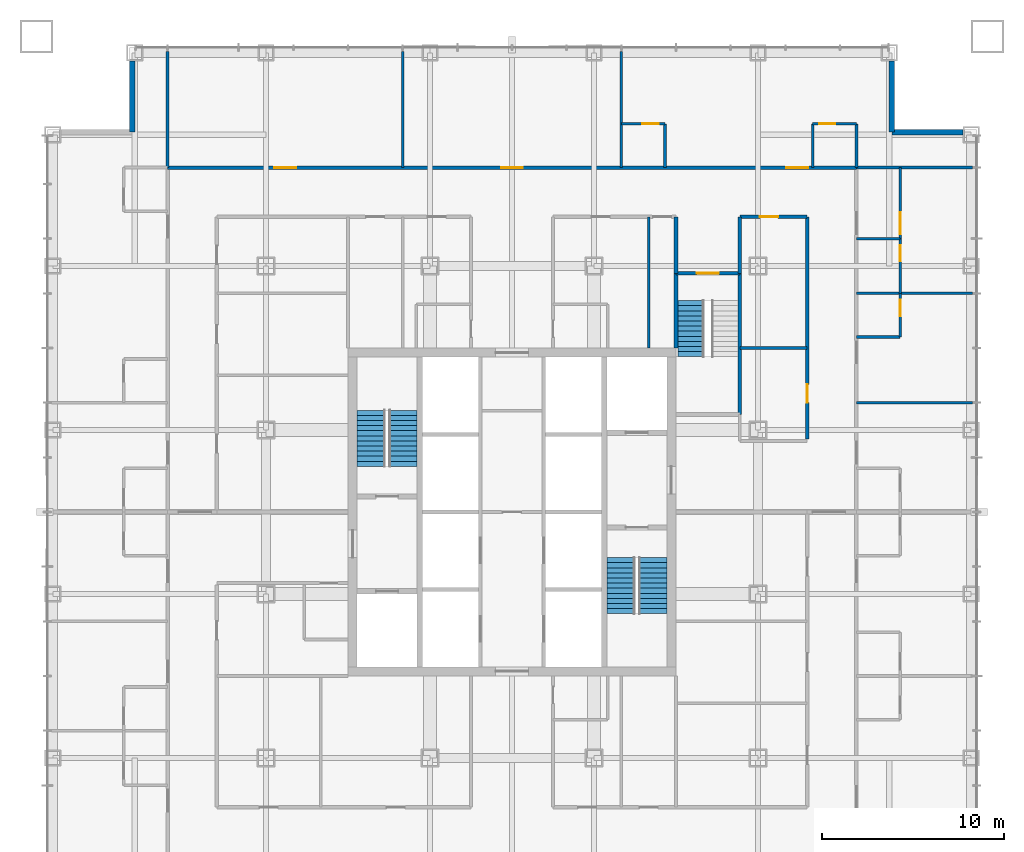
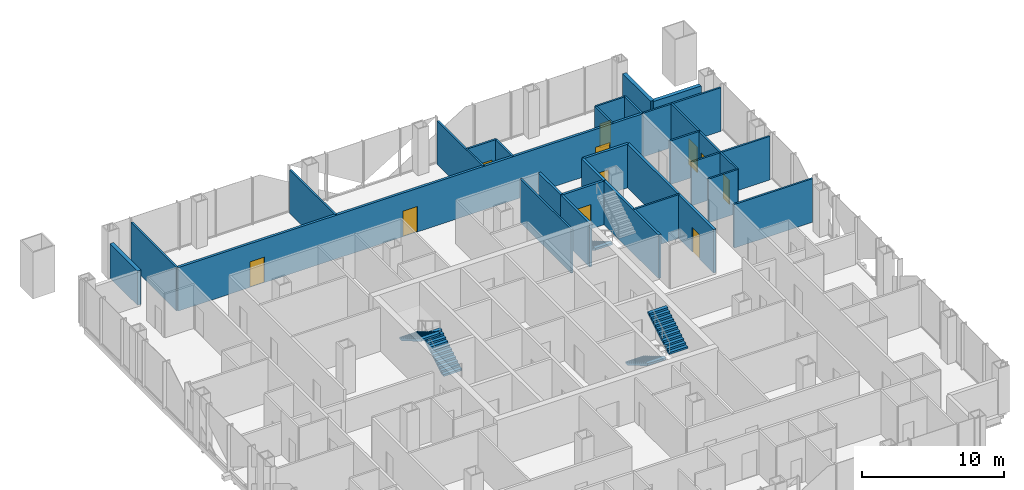
# One storey, part 11 of 13: 29 walls, 11 doors, 5 stair flights, 11 openings, 3 elements without a shape of their own.
"""IFC4 building model written with IfcOpenShell, lengths in metres."""

from ifc_helpers import new_model, si_unit, direction, frame, frame_2d, origin, place, context, subcontext, project, spatial, polyline, rectangle, outline, extrude, material, layer, layer_set, type_object, element, fill, aggregate, save


model = new_model("IFC4")

# Units and contexts
model_context = context("Model", 3, precision=1e-05, world=origin(), true_north=direction((0.0, 1.0)))
body_context = subcontext(model_context, "Body", "Model", "MODEL_VIEW")
ifc_project = project(units=[si_unit("LENGTHUNIT", "METRE"), si_unit("AREAUNIT", "SQUARE_METRE"), si_unit("VOLUMEUNIT", "CUBIC_METRE"), si_unit("PLANEANGLEUNIT", "RADIAN"), si_unit("MASSUNIT", "GRAM", prefix="KILO")], contexts=[model_context])

# Site, building, storey
site_placement = place(None, origin())
site = spatial("IfcSite", under=ifc_project, at=site_placement, CompositionType="ELEMENT")
building_placement = place(site_placement, origin())
building = spatial("IfcBuilding", under=site, at=building_placement, Name="Malebo Sky Hospital", CompositionType="ELEMENT")
storey_placement = place(building_placement, frame((0.0, 0.0, 79.0)))
storey = spatial("IfcBuildingStorey", under=building, at=storey_placement, Name="L18", CompositionType="ELEMENT", Elevation=79.0)

# Wall, openings, doors
ifc_material_1 = material(Name="Gypsum board on steel studs", Category="steel")
ifc_layer_1 = layer(ifc_material_1, 0.199951171875)
ifc_layer_set_1 = layer_set([ifc_layer_1], Name="CORRIDOR WALL 200")
wall_type_1 = type_object("IfcWallType", Name="CORRIDOR WALL 200", PredefinedType="PARTITIONING", material=ifc_layer_set_1)
wall_1_placement = place(storey_placement, frame((41.10009765625, 80.89990234375, 0.0), z_axis=(0.0, 0.0, 1.0), x_axis=(1.0, 0.0, 0.0)))
wall_1 = element("IfcWall", 1, at=wall_1_placement, inside=storey, type_object=wall_type_1, Name="Corridor Wall 200 NCO", PredefinedType="PARTITIONING", context=body_context, shape_type="SweptSolid", body=[
    extrude(rectangle(XDim=37.7998046875, YDim=0.199951171875, at=frame_2d((18.89990234375, 0.0))), origin(), (0.0, 0.0, 1.0), 3.75),
])
opening_1_placement = place(wall_1_placement, frame((5.85009765625, 0.0, 0.0)))
opening_1 = element("IfcOpeningElement", 2, at=opening_1_placement, cuts=wall_1, Name="Opening D01", PredefinedType="OPENING", context=body_context, shape_type="SweptSolid", body=[
    extrude(rectangle(XDim=1.199951171875, YDim=2.199951171875, at=frame_2d((0.60009765625, 1.10009765625))), frame((0.0, 0.10986328125, 0.0), z_axis=(0.0, -1.0, 0.0), x_axis=(1.0, 0.0, 0.0)), (0.0, 0.0, 1.0), 0.219970703125),
])
opening_2_placement = place(wall_1_placement, frame((18.300048828125, 0.0, 0.0)))
opening_2 = element("IfcOpeningElement", 3, at=opening_2_placement, cuts=wall_1, Name="Opening D01", PredefinedType="OPENING", context=body_context, shape_type="SweptSolid", body=[
    extrude(rectangle(XDim=1.199951171875, YDim=2.199951171875, at=frame_2d((0.60009765625, 1.10009765625))), frame((0.0, 0.10986328125, 0.0), z_axis=(0.0, -1.0, 0.0), x_axis=(1.0, 0.0, 0.0)), (0.0, 0.0, 1.0), 0.219970703125),
])
opening_3_placement = place(wall_1_placement, frame((33.949951171875, 0.0, 0.0)))
opening_3 = element("IfcOpeningElement", 4, at=opening_3_placement, cuts=wall_1, Name="Opening D01", PredefinedType="OPENING", context=body_context, shape_type="SweptSolid", body=[
    extrude(rectangle(XDim=1.199951171875, YDim=2.199951171875, at=frame_2d((0.60009765625, 1.10009765625))), frame((0.0, 0.10986328125, 0.0), z_axis=(0.0, -1.0, 0.0), x_axis=(1.0, 0.0, 0.0)), (0.0, 0.0, 1.0), 0.219970703125),
])
ifc_material_2 = material(Name="Hardwood-faced door leaf in steel frame", Category="steel")
door_type_1 = type_object("IfcDoorType", Name="BED DOOR 1200", OperationType="SINGLE_SWING_LEFT", PredefinedType="DOOR", material=ifc_material_2)
door_1_placement = place(opening_1_placement, origin())
door_1 = element("IfcDoor", 5, at=door_1_placement, inside=storey, type_object=door_type_1, Name="Dining room door", OperationType="SINGLE_SWING_LEFT", OverallHeight=2.199951171875, OverallWidth=1.199951171875, PredefinedType="DOOR", context=body_context, shape_type="SweptSolid", body=[
    extrude(rectangle(XDim=1.199951171875, YDim=2.199951171875, at=frame_2d((0.60009765625, 1.10009765625))), frame((0.0, 0.02490234375, 0.0), z_axis=(0.0, -1.0, 0.0), x_axis=(1.0, 0.0, 0.0)), (0.0, 0.0, 1.0), 0.050048828125),
])
fill(opening_1, door_1)
door_2_placement = place(opening_2_placement, origin())
door_2 = element("IfcDoor", 6, at=door_2_placement, inside=storey, type_object=door_type_1, Name="Therapy gym door", OperationType="SINGLE_SWING_LEFT", OverallHeight=2.199951171875, OverallWidth=1.199951171875, PredefinedType="DOOR", context=body_context, shape_type="SweptSolid", body=[
    extrude(rectangle(XDim=1.199951171875, YDim=2.199951171875, at=frame_2d((0.60009765625, 1.10009765625))), frame((0.0, 0.02490234375, 0.0), z_axis=(0.0, -1.0, 0.0), x_axis=(1.0, 0.0, 0.0)), (0.0, 0.0, 1.0), 0.050048828125),
])
fill(opening_2, door_2)
door_3_placement = place(opening_3_placement, origin())
door_3 = element("IfcDoor", 7, at=door_3_placement, inside=storey, type_object=door_type_1, Name="Four-bed bay door", OperationType="SINGLE_SWING_RIGHT", OverallHeight=2.199951171875, OverallWidth=1.199951171875, PredefinedType="DOOR", context=body_context, shape_type="SweptSolid", body=[
    extrude(rectangle(XDim=1.199951171875, YDim=2.199951171875, at=frame_2d((0.60009765625, 1.10009765625))), frame((0.0, 0.02490234375, 0.0), z_axis=(0.0, -1.0, 0.0), x_axis=(1.0, 0.0, 0.0)), (0.0, 0.0, 1.0), 0.050048828125),
])
fill(opening_3, door_3)

# Wall, opening, door
wall_2_placement = place(storey_placement, frame((72.5, 78.199951171875, 0.0), z_axis=(0.0, 0.0, 1.0), x_axis=(1.0, 0.0, 0.0)))
wall_2 = element("IfcWall", 8, at=wall_2_placement, inside=storey, type_object=wall_type_1, Name="Corridor Wall 200 NCI2/2", PredefinedType="PARTITIONING", context=body_context, shape_type="SweptSolid", body=[
    extrude(rectangle(XDim=3.699951171875, YDim=0.199951171875, at=frame_2d((1.85009765625, 0.0))), origin(), (0.0, 0.0, 1.0), 3.75),
])
opening_4_placement = place(wall_2_placement, frame((1.10009765625, 0.0, 0.0)))
opening_4 = element("IfcOpeningElement", 9, at=opening_4_placement, cuts=wall_2, Name="Opening D03", PredefinedType="OPENING", context=body_context, shape_type="SweptSolid", body=[
    extrude(rectangle(XDim=1.0, YDim=2.10009765625, at=frame_2d((0.5, 1.050048828125))), frame((0.0, 0.10986328125, 0.0), z_axis=(0.0, -1.0, 0.0), x_axis=(1.0, 0.0, 0.0)), (0.0, 0.0, 1.0), 0.219970703125),
])
door_type_2 = type_object("IfcDoorType", Name="ROOM DOOR 1000", OperationType="SINGLE_SWING_LEFT", PredefinedType="DOOR", material=ifc_material_2)
door_4_placement = place(opening_4_placement, origin())
door_4 = element("IfcDoor", 10, at=door_4_placement, inside=storey, type_object=door_type_2, Name="Clean utility room door", OperationType="SINGLE_SWING_LEFT", OverallHeight=2.10009765625, OverallWidth=1.0, PredefinedType="DOOR", context=body_context, shape_type="SweptSolid", body=[
    extrude(rectangle(XDim=1.0, YDim=2.10009765625, at=frame_2d((0.5, 1.050048828125))), frame((0.0, 0.02490234375, 0.0), z_axis=(0.0, -1.0, 0.0), x_axis=(1.0, 0.0, 0.0)), (0.0, 0.0, 1.0), 0.050048828125),
])
fill(opening_4, door_4)

wall_3_placement = place(storey_placement, frame((76.199951171875, 78.199951171875, 0.0), z_axis=(0.0, 0.0, 1.0), x_axis=(0.0, -1.0, 0.0)))
wall_3 = element("IfcWall", 11, at=wall_3_placement, inside=storey, type_object=wall_type_1, Name="Corridor Wall 200 ECI1", PredefinedType="PARTITIONING", context=body_context, shape_type="SweptSolid", body=[
    extrude(rectangle(XDim=12.199951171875, YDim=0.199951171875, at=frame_2d((6.10009765625, 0.0))), origin(), (0.0, 0.0, 1.0), 3.75),
])
opening_5_placement = place(wall_3_placement, frame((9.199951171875, 0.0, 0.0)))
opening_5 = element("IfcOpeningElement", 12, at=opening_5_placement, cuts=wall_3, Name="Opening D03", PredefinedType="OPENING", context=body_context, shape_type="SweptSolid", body=[
    extrude(rectangle(XDim=1.0, YDim=2.10009765625, at=frame_2d((0.5, 1.050048828125))), frame((0.0, 0.10986328125, 0.0), z_axis=(0.0, -1.0, 0.0), x_axis=(1.0, 0.0, 0.0)), (0.0, 0.0, 1.0), 0.219970703125),
])
door_5_placement = place(opening_5_placement, origin())
door_5 = element("IfcDoor", 13, at=door_5_placement, inside=storey, type_object=door_type_2, Name="Interview room door", OperationType="SINGLE_SWING_LEFT", OverallHeight=2.10009765625, OverallWidth=1.0, PredefinedType="DOOR", context=body_context, shape_type="SweptSolid", body=[
    extrude(rectangle(XDim=1.0, YDim=2.10009765625, at=frame_2d((0.5, 1.050048828125))), frame((0.0, 0.02490234375, 0.0), z_axis=(0.0, -1.0, 0.0), x_axis=(1.0, 0.0, 0.0)), (0.0, 0.0, 1.0), 0.050048828125),
])
fill(opening_5, door_5)

# Walls
for number, where, z_axis, x_axis, name in (
    (14, (69.0, 75.10009765625, 0.0), (0.0, 0.0, 1.0), (0.0, 1.0, 0.0), "Corridor Wall 200 ST3AW"),
    (15, (72.5, 75.10009765625, 0.0), (0.0, 0.0, 1.0), (0.0, 1.0, 0.0), "Corridor Wall 200 ST3AE"),
):
    element("IfcWall", number, at=place(storey_placement, frame(where, z_axis=z_axis, x_axis=x_axis)), inside=storey, type_object=wall_type_1, Name=name, PredefinedType="PARTITIONING", context=body_context, shape_type="SweptSolid", body=[
        extrude(rectangle(XDim=3.099853515625, YDim=0.199951171875, at=frame_2d((1.5498046875, 0.0))), origin(), (0.0, 0.0, 1.0), 3.75),
    ])
ifc_material_3 = material(Name="Anodised aluminium rainscreen on steel framing", Category="steel")
ifc_layer_2 = layer(ifc_material_3, 0.300048828125)
ifc_layer_set_2 = layer_set([ifc_layer_2], Name="NOTCH RAINSCREEN WALL 300")
wall_type_2 = type_object("IfcWallType", Name="NOTCH RAINSCREEN WALL 300", PredefinedType="ELEMENTEDWALL", material=ifc_layer_set_2)
for number, where, z_axis, x_axis, name in (
    (16, (80.85009765625, 86.75, 0.0), (0.0, 0.0, 1.0), (0.0, -1.0, 0.0), "Notch rainscreen wall N1 L18"),
    (17, (80.85009765625, 82.85009765625, 0.0), (0.0, 0.0, 1.0), (1.0, 0.0, 0.0), "Notch rainscreen wall N2 L18"),
    (18, (39.14990234375, 82.85009765625, 0.0), (0.0, 0.0, 1.0), (0.0, 1.0, 0.0), "Notch rainscreen wall W2 L18"),
):
    element("IfcWall", number, at=place(storey_placement, frame(where, z_axis=z_axis, x_axis=x_axis)), inside=storey, type_object=wall_type_2, Name=name, PredefinedType="ELEMENTEDWALL", context=body_context, shape_type="SweptSolid", body=[
        extrude(rectangle(XDim=3.89990234375, YDim=0.300048828125, at=frame_2d((1.949951171875, 0.0))), origin(), (0.0, 0.0, 1.0), 2.949951171875),
    ])
ifc_layer_3 = layer(ifc_material_1, 0.14990234375)
ifc_layer_set_3 = layer_set([ifc_layer_3], Name="PARTITION 150")
wall_type_3 = type_object("IfcWallType", Name="PARTITION 150", PredefinedType="PARTITIONING", material=ifc_layer_set_3)
for number, where, z_axis, x_axis, name in (
    (19, (54.0, 80.89990234375, 0.0), (0.0, 0.0, 1.0), (0.0, 1.0, 0.0), "Partition 150 NP-6.0"),
    (20, (66.0, 80.89990234375, 0.0), (0.0, 0.0, 1.0), (0.0, 1.0, 0.0), "Partition 150 NP+6.0"),
    (21, (41.10009765625, 80.89990234375, 0.0), (0.0, 0.0, 1.0), (0.0, 1.0, 0.0), "Partition 150 NP0"),
):
    element("IfcWall", number, at=place(storey_placement, frame(where, z_axis=z_axis, x_axis=x_axis)), inside=storey, type_object=wall_type_3, Name=name, PredefinedType="PARTITIONING", context=body_context, shape_type="SweptSolid", body=[
        extrude(rectangle(XDim=6.375, YDim=0.14990234375, at=frame_2d((3.1875, 0.0))), origin(), (0.0, 0.0, 1.0), 3.75),
    ])

# Wall, opening, door
wall_4_placement = place(storey_placement, frame((76.5, 83.300048828125, 0.0), z_axis=(0.0, 0.0, 1.0), x_axis=(1.0, 0.0, 0.0)))
wall_4 = element("IfcWall", 22, at=wall_4_placement, inside=storey, type_object=wall_type_3, Name="Partition 150 NE2F", PredefinedType="PARTITIONING", context=body_context, shape_type="SweptSolid", body=[
    extrude(rectangle(XDim=2.39990234375, YDim=0.14990234375, at=frame_2d((1.199951171875, 0.0))), origin(), (0.0, 0.0, 1.0), 3.75),
])
opening_6_placement = place(wall_4_placement, frame((0.35009765625, 0.0, 0.0)))
opening_6 = element("IfcOpeningElement", 23, at=opening_6_placement, cuts=wall_4, Name="Opening D02", PredefinedType="OPENING", context=body_context, shape_type="SweptSolid", body=[
    extrude(rectangle(XDim=0.89990234375, YDim=2.10009765625, at=frame_2d((0.449951171875, 1.050048828125))), frame((0.0, 0.0849609375, 0.0), z_axis=(0.0, -1.0, 0.0), x_axis=(1.0, 0.0, 0.0)), (0.0, 0.0, 1.0), 0.169921875),
])
door_type_3 = type_object("IfcDoorType", Name="EN-SUITE DOOR 900", OperationType="SINGLE_SWING_LEFT", PredefinedType="DOOR", material=ifc_material_2)
door_6_placement = place(opening_6_placement, origin())
door_6 = element("IfcDoor", 24, at=door_6_placement, inside=storey, type_object=door_type_3, Name="En-suite door", OperationType="SINGLE_SWING_LEFT", OverallHeight=2.10009765625, OverallWidth=0.89990234375, PredefinedType="DOOR", context=body_context, shape_type="SweptSolid", body=[
    extrude(rectangle(XDim=0.89990234375, YDim=2.10009765625, at=frame_2d((0.449951171875, 1.050048828125))), frame((0.0, 0.02490234375, 0.0), z_axis=(0.0, -1.0, 0.0), x_axis=(1.0, 0.0, 0.0)), (0.0, 0.0, 1.0), 0.050048828125),
])
fill(opening_6, door_6)

# Wall
wall_5_placement = place(storey_placement, frame((76.5, 80.89990234375, 0.0), z_axis=(0.0, 0.0, 1.0), x_axis=(0.0, 1.0, 0.0)))
element("IfcWall", 25, at=wall_5_placement, inside=storey, type_object=wall_type_3, Name="Partition 150 NE2S", PredefinedType="PARTITIONING", context=body_context, shape_type="SweptSolid", body=[
    extrude(rectangle(XDim=2.400146484375, YDim=0.14990234375, at=frame_2d((1.2001953125, 0.0))), origin(), (0.0, 0.0, 1.0), 3.75),
])

# Wall, opening, door
wall_6_placement = place(storey_placement, frame((66.0, 83.300048828125, 0.0), z_axis=(0.0, 0.0, 1.0), x_axis=(1.0, 0.0, 0.0)))
wall_6 = element("IfcWall", 26, at=wall_6_placement, inside=storey, type_object=wall_type_3, Name="Partition 150 NG2F", PredefinedType="PARTITIONING", context=body_context, shape_type="SweptSolid", body=[
    extrude(rectangle(XDim=2.39990234375, YDim=0.14990234375, at=frame_2d((1.199951171875, 0.0))), origin(), (0.0, 0.0, 1.0), 3.75),
])
opening_7_placement = place(wall_6_placement, frame((1.14990234375, 0.0, 0.0)))
opening_7 = element("IfcOpeningElement", 27, at=opening_7_placement, cuts=wall_6, Name="Opening D02", PredefinedType="OPENING", context=body_context, shape_type="SweptSolid", body=[
    extrude(rectangle(XDim=0.89990234375, YDim=2.10009765625, at=frame_2d((0.449951171875, 1.050048828125))), frame((0.0, 0.0849609375, 0.0), z_axis=(0.0, -1.0, 0.0), x_axis=(1.0, 0.0, 0.0)), (0.0, 0.0, 1.0), 0.169921875),
])
door_7_placement = place(opening_7_placement, origin())
door_7 = element("IfcDoor", 28, at=door_7_placement, inside=storey, type_object=door_type_3, Name="En-suite door", OperationType="SINGLE_SWING_RIGHT", OverallHeight=2.10009765625, OverallWidth=0.89990234375, PredefinedType="DOOR", context=body_context, shape_type="SweptSolid", body=[
    extrude(rectangle(XDim=0.89990234375, YDim=2.10009765625, at=frame_2d((0.449951171875, 1.050048828125))), frame((0.0, 0.02490234375, 0.0), z_axis=(0.0, -1.0, 0.0), x_axis=(1.0, 0.0, 0.0)), (0.0, 0.0, 1.0), 0.050048828125),
])
fill(opening_7, door_7)

# Walls
for number, where, z_axis, x_axis, name in (
    (29, (68.39990234375, 80.89990234375, 0.0), (0.0, 0.0, 1.0), (0.0, 1.0, 0.0), "Partition 150 NG2S"),
    (30, (78.89990234375, 80.89990234375, 0.0), (0.0, 0.0, 1.0), (0.0, 1.0, 0.0), "Partition 150 NEZ"),
):
    element("IfcWall", number, at=place(storey_placement, frame(where, z_axis=z_axis, x_axis=x_axis)), inside=storey, type_object=wall_type_3, Name=name, PredefinedType="PARTITIONING", context=body_context, shape_type="SweptSolid", body=[
        extrude(rectangle(XDim=2.400146484375, YDim=0.14990234375, at=frame_2d((1.2001953125, 0.0))), origin(), (0.0, 0.0, 1.0), 3.75),
    ])
wall_7_placement = place(storey_placement, frame((67.5, 71.0, 0.0), z_axis=(0.0, 0.0, 1.0), x_axis=(0.0, 1.0, 0.0)))
element("IfcWall", 31, at=wall_7_placement, inside=storey, type_object=wall_type_3, Name="Partition 150 NSP+7.5", PredefinedType="PARTITIONING", context=body_context, shape_type="SweptSolid", body=[
    extrude(rectangle(XDim=7.199951171875, YDim=0.14990234375, at=frame_2d((3.60009765625, 0.0))), origin(), (0.0, 0.0, 1.0), 3.75),
])
for number, where, z_axis, x_axis, name in (
    (32, (78.89990234375, 74.0, 0.0), (0.0, 0.0, 1.0), (1.0, 0.0, 0.0), "Partition 150 EP-12.0"),
    (33, (78.89990234375, 68.0, 0.0), (0.0, 0.0, 1.0), (1.0, 0.0, 0.0), "Partition 150 EP-6.0"),
    (34, (78.89990234375, 80.89990234375, 0.0), (0.0, 0.0, 1.0), (1.0, 0.0, 0.0), "Partition 150 EP0"),
):
    element("IfcWall", number, at=place(storey_placement, frame(where, z_axis=z_axis, x_axis=x_axis)), inside=storey, type_object=wall_type_3, Name=name, PredefinedType="PARTITIONING", context=body_context, shape_type="SweptSolid", body=[
        extrude(rectangle(XDim=6.375, YDim=0.14990234375, at=frame_2d((3.1875, 0.0))), origin(), (0.0, 0.0, 1.0), 3.75),
    ])

# Wall, opening, door
wall_8_placement = place(storey_placement, frame((81.300048828125, 77.0, 0.0), z_axis=(0.0, 0.0, 1.0), x_axis=(0.0, -1.0, 0.0)))
wall_8 = element("IfcWall", 35, at=wall_8_placement, inside=storey, type_object=wall_type_3, Name="Partition 150 EE0F", PredefinedType="PARTITIONING", context=body_context, shape_type="SweptSolid", body=[
    extrude(rectangle(XDim=3.0, YDim=0.14990234375, at=frame_2d((1.5, 0.0))), origin(), (0.0, 0.0, 1.0), 3.75),
])
opening_8_placement = place(wall_8_placement, frame((0.35009765625, 0.0, 0.0)))
opening_8 = element("IfcOpeningElement", 36, at=opening_8_placement, cuts=wall_8, Name="Opening D02", PredefinedType="OPENING", context=body_context, shape_type="SweptSolid", body=[
    extrude(rectangle(XDim=0.89990234375, YDim=2.10009765625, at=frame_2d((0.449951171875, 1.050048828125))), frame((0.0, 0.0849609375, 0.0), z_axis=(0.0, -1.0, 0.0), x_axis=(1.0, 0.0, 0.0)), (0.0, 0.0, 1.0), 0.169921875),
])
door_8_placement = place(opening_8_placement, origin())
door_8 = element("IfcDoor", 37, at=door_8_placement, inside=storey, type_object=door_type_3, Name="En-suite door", OperationType="SINGLE_SWING_LEFT", OverallHeight=2.10009765625, OverallWidth=0.89990234375, PredefinedType="DOOR", context=body_context, shape_type="SweptSolid", body=[
    extrude(rectangle(XDim=0.89990234375, YDim=2.10009765625, at=frame_2d((0.449951171875, 1.050048828125))), frame((0.0, 0.02490234375, 0.0), z_axis=(0.0, -1.0, 0.0), x_axis=(1.0, 0.0, 0.0)), (0.0, 0.0, 1.0), 0.050048828125),
])
fill(opening_8, door_8)

# Wall
wall_9_placement = place(storey_placement, frame((78.89990234375, 77.0, 0.0), z_axis=(0.0, 0.0, 1.0), x_axis=(1.0, 0.0, 0.0)))
element("IfcWall", 38, at=wall_9_placement, inside=storey, type_object=wall_type_3, Name="Partition 150 EE0S", PredefinedType="PARTITIONING", context=body_context, shape_type="SweptSolid", body=[
    extrude(rectangle(XDim=2.400146484375, YDim=0.14990234375, at=frame_2d((1.2001953125, 0.0))), origin(), (0.0, 0.0, 1.0), 3.75),
])

# Wall, opening, door
wall_10_placement = place(storey_placement, frame((81.300048828125, 74.0, 0.0), z_axis=(0.0, 0.0, 1.0), x_axis=(0.0, -1.0, 0.0)))
wall_10 = element("IfcWall", 39, at=wall_10_placement, inside=storey, type_object=wall_type_3, Name="Partition 150 EE1F", PredefinedType="PARTITIONING", context=body_context, shape_type="SweptSolid", body=[
    extrude(rectangle(XDim=2.39990234375, YDim=0.14990234375, at=frame_2d((1.199951171875, 0.0))), origin(), (0.0, 0.0, 1.0), 3.75),
])
opening_9_placement = place(wall_10_placement, frame((0.35009765625, 0.0, 0.0)))
opening_9 = element("IfcOpeningElement", 40, at=opening_9_placement, cuts=wall_10, Name="Opening D02", PredefinedType="OPENING", context=body_context, shape_type="SweptSolid", body=[
    extrude(rectangle(XDim=0.89990234375, YDim=2.10009765625, at=frame_2d((0.449951171875, 1.050048828125))), frame((0.0, 0.0849609375, 0.0), z_axis=(0.0, -1.0, 0.0), x_axis=(1.0, 0.0, 0.0)), (0.0, 0.0, 1.0), 0.169921875),
])
door_9_placement = place(opening_9_placement, origin())
door_9 = element("IfcDoor", 41, at=door_9_placement, inside=storey, type_object=door_type_3, Name="En-suite door", OperationType="SINGLE_SWING_LEFT", OverallHeight=2.10009765625, OverallWidth=0.89990234375, PredefinedType="DOOR", context=body_context, shape_type="SweptSolid", body=[
    extrude(rectangle(XDim=0.89990234375, YDim=2.10009765625, at=frame_2d((0.449951171875, 1.050048828125))), frame((0.0, 0.02490234375, 0.0), z_axis=(0.0, -1.0, 0.0), x_axis=(1.0, 0.0, 0.0)), (0.0, 0.0, 1.0), 0.050048828125),
])
fill(opening_9, door_9)

# Walls
wall_11_placement = place(storey_placement, frame((78.89990234375, 71.60009765625, 0.0), z_axis=(0.0, 0.0, 1.0), x_axis=(1.0, 0.0, 0.0)))
element("IfcWall", 42, at=wall_11_placement, inside=storey, type_object=wall_type_3, Name="Partition 150 EE1S", PredefinedType="PARTITIONING", context=body_context, shape_type="SweptSolid", body=[
    extrude(rectangle(XDim=2.400146484375, YDim=0.14990234375, at=frame_2d((1.2001953125, 0.0))), origin(), (0.0, 0.0, 1.0), 3.75),
])
wall_12_placement = place(storey_placement, frame((72.5, 71.0, 0.0), z_axis=(0.0, 0.0, 1.0), x_axis=(1.0, 0.0, 0.0)))
element("IfcWall", 43, at=wall_12_placement, inside=storey, type_object=wall_type_3, Name="Partition 150 ESP0", PredefinedType="PARTITIONING", context=body_context, shape_type="SweptSolid", body=[
    extrude(rectangle(XDim=3.699951171875, YDim=0.14990234375, at=frame_2d((1.85009765625, 0.0))), origin(), (0.0, 0.0, 1.0), 3.75),
])

# Wall, opening, door
ifc_material_4 = material(Name="Sealed gypsum board on steel studs, taped to the slab", Category="steel")
ifc_layer_4 = layer(ifc_material_4, 0.14990234375)
ifc_layer_set_4 = layer_set([ifc_layer_4], Name="SEALED ISOLATION PARTITION 150")
wall_type_4 = type_object("IfcWallType", Name="SEALED ISOLATION PARTITION 150", PredefinedType="PARTITIONING", material=ifc_layer_set_4)
wall_13_placement = place(storey_placement, frame((81.300048828125, 80.89990234375, 0.0), z_axis=(0.0, 0.0, 1.0), x_axis=(0.0, -1.0, 0.0)))
wall_13 = element("IfcWall", 44, at=wall_13_placement, inside=storey, type_object=wall_type_4, Name="Sealed Isolation Partition 150 EA0F", PredefinedType="PARTITIONING", context=body_context, shape_type="SweptSolid", body=[
    extrude(rectangle(XDim=3.89990234375, YDim=0.14990234375, at=frame_2d((1.949951171875, 0.0))), origin(), (0.0, 0.0, 1.0), 3.75),
])
opening_10_placement = place(wall_13_placement, frame((2.449951171875, 0.0, 0.0)))
opening_10 = element("IfcOpeningElement", 45, at=opening_10_placement, cuts=wall_13, Name="Opening D19", PredefinedType="OPENING", context=body_context, shape_type="SweptSolid", body=[
    extrude(rectangle(XDim=1.199951171875, YDim=2.199951171875, at=frame_2d((0.60009765625, 1.10009765625))), frame((0.0, 0.0849609375, 0.0), z_axis=(0.0, -1.0, 0.0), x_axis=(1.0, 0.0, 0.0)), (0.0, 0.0, 1.0), 0.169921875),
])
ifc_material_5 = material(Name="Hardwood-faced door leaf with perimeter seals in steel frame", Category="steel")
door_type_4 = type_object("IfcDoorType", Name="SEALED ISOLATION ROOM DOOR 1200", OperationType="SINGLE_SWING_LEFT", PredefinedType="DOOR", material=ifc_material_5)
door_10_placement = place(opening_10_placement, origin())
door_10 = element("IfcDoor", 46, at=door_10_placement, inside=storey, type_object=door_type_4, Name="Isolation room door", OperationType="SINGLE_SWING_RIGHT", OverallHeight=2.199951171875, OverallWidth=1.199951171875, PredefinedType="DOOR", context=body_context, shape_type="SweptSolid", body=[
    extrude(rectangle(XDim=1.199951171875, YDim=2.199951171875, at=frame_2d((0.60009765625, 1.10009765625))), frame((0.0, 0.02490234375, 0.0), z_axis=(0.0, -1.0, 0.0), x_axis=(1.0, 0.0, 0.0)), (0.0, 0.0, 1.0), 0.050048828125),
])
fill(opening_10, door_10)

# Walls
ifc_material_6 = material(Name="Concrete C40/50", Category="concrete")
ifc_layer_5 = layer(ifc_material_6, 0.199951171875)
ifc_layer_set_5 = layer_set([ifc_layer_5], Name="STAIR ENCLOSURE WALL 200")
wall_type_5 = type_object("IfcWallType", Name="STAIR ENCLOSURE WALL 200", PredefinedType="SOLIDWALL", material=ifc_layer_set_5)
wall_14_placement = place(storey_placement, frame((69.0, 71.0, 0.0), z_axis=(0.0, 0.0, 1.0), x_axis=(0.0, 1.0, 0.0)))
element("IfcWall", 47, at=wall_14_placement, inside=storey, type_object=wall_type_5, Name="Stair Enclosure Wall 200 ST3W", PredefinedType="SOLIDWALL", context=body_context, shape_type="SweptSolid", body=[
    extrude(rectangle(XDim=4.10009765625, YDim=0.199951171875, at=frame_2d((2.050048828125, 0.0))), origin(), (0.0, 0.0, 1.0), 3.75),
])
wall_15_placement = place(storey_placement, frame((72.5, 67.35009765625, 0.0), z_axis=(0.0, 0.0, 1.0), x_axis=(0.0, 1.0, 0.0)))
element("IfcWall", 48, at=wall_15_placement, inside=storey, type_object=wall_type_5, Name="Stair Enclosure Wall 200 ST3E", PredefinedType="SOLIDWALL", context=body_context, shape_type="SweptSolid", body=[
    extrude(rectangle(XDim=7.75, YDim=0.199951171875, at=frame_2d((3.875, 0.0))), origin(), (0.0, 0.0, 1.0), 3.75),
])

# Wall, opening, door
wall_16_placement = place(storey_placement, frame((69.0, 75.10009765625, 0.0), z_axis=(0.0, 0.0, 1.0), x_axis=(1.0, 0.0, 0.0)))
wall_16 = element("IfcWall", 49, at=wall_16_placement, inside=storey, type_object=wall_type_5, Name="Stair Enclosure Wall 200 ST3N", PredefinedType="SOLIDWALL", context=body_context, shape_type="SweptSolid", body=[
    extrude(rectangle(XDim=3.5, YDim=0.199951171875, at=frame_2d((1.75, 0.0))), origin(), (0.0, 0.0, 1.0), 3.75),
])
opening_11_placement = place(wall_16_placement, frame((1.14990234375, 0.0, 0.0)))
opening_11 = element("IfcOpeningElement", 50, at=opening_11_placement, cuts=wall_16, Name="Opening D08", PredefinedType="OPENING", context=body_context, shape_type="SweptSolid", body=[
    extrude(rectangle(XDim=1.199951171875, YDim=2.10009765625, at=frame_2d((0.60009765625, 1.050048828125))), frame((0.0, 0.10986328125, 0.0), z_axis=(0.0, -1.0, 0.0), x_axis=(1.0, 0.0, 0.0)), (0.0, 0.0, 1.0), 0.219970703125),
])
door_type_5 = type_object("IfcDoorType", Name="STAIR DOOR 1200", OperationType="SINGLE_SWING_LEFT", PredefinedType="DOOR", material=ifc_material_2)
door_11_placement = place(opening_11_placement, origin())
door_11 = element("IfcDoor", 51, at=door_11_placement, inside=storey, type_object=door_type_5, Name="Stair S3 door", OperationType="SINGLE_SWING_LEFT", OverallHeight=2.10009765625, OverallWidth=1.199951171875, PredefinedType="DOOR", context=body_context, shape_type="SweptSolid", body=[
    extrude(rectangle(XDim=1.199951171875, YDim=2.10009765625, at=frame_2d((0.60009765625, 1.050048828125))), frame((0.0, 0.02490234375, 0.0), z_axis=(0.0, -1.0, 0.0), x_axis=(1.0, 0.0, 0.0)), (0.0, 0.0, 1.0), 0.050048828125),
])
fill(opening_11, door_11)

# Stair, stair flight
stair_type_1 = type_object("IfcStairType", Name="HALF-TURN STAIR 1400 R167", PredefinedType="HALF_TURN_STAIR", material=ifc_material_6)
stair_1_placement = place(storey_placement, origin())
stair_1 = element("IfcStair", 52, at=stair_1_placement, inside=storey, type_object=stair_type_1, Name="Stair S3 L18 type ST1B", PredefinedType="HALF_TURN_STAIR")
stair_flight_type_1 = type_object("IfcStairFlightType", Name="STAIR FLIGHT 1400 R167", PredefinedType="STRAIGHT", material=ifc_material_6)
stair_flight_1_placement = place(storey_placement, frame((69.800048828125, 73.60009765625, 0.0), z_axis=(0.0, 0.0, 1.0), x_axis=(0.0, -1.0, 0.0)))
stair_flight_1 = element("IfcStairFlight", 53, at=stair_flight_1_placement, type_object=stair_flight_type_1, Name="S3 flight 1 type SF1B", NumberOfRisers=12, NumberOfTreads=11, PredefinedType="STRAIGHT", RiserHeight=0.166666667, TreadLength=0.28, context=body_context, shape_type="SweptSolid", body=[
    extrude(outline(polyline([(0.0, 0.0), (0.0, 0.166748046875), (0.280029296875, 0.166748046875), (0.280029296875, 0.333251953125), (0.56005859375, 0.333251953125), (0.56005859375, 0.5), (0.840087890625, 0.5), (0.840087890625, 0.666748046875), (1.1201171875, 0.666748046875), (1.1201171875, 0.833251953125), (1.39990234375, 0.833251953125), (1.39990234375, 1.0), (1.679931640625, 1.0), (1.679931640625, 1.166748046875), (1.9599609375, 1.166748046875), (1.9599609375, 1.333251953125), (2.239990234375, 1.333251953125), (2.239990234375, 1.5), (2.52001953125, 1.5), (2.52001953125, 1.666748046875), (2.800048828125, 1.666748046875), (2.800048828125, 1.833251953125), (3.080078125, 1.833251953125), (3.080078125, 2.0), (3.080078125, 1.658935546875), (0.29296875, 0.0), (0.0, 0.0)])), frame((0.0, 0.699951171875, 0.0), z_axis=(0.0, -1.0, 0.0), x_axis=(1.0, 0.0, 0.0)), (0.0, 0.0, 1.0), 1.39990234375),
])
aggregate(stair_1, [stair_flight_1])

# Stair, stair flights
stair_type_2 = type_object("IfcStairType", Name="HALF-TURN STAIR 1500 R167", PredefinedType="HALF_TURN_STAIR", material=ifc_material_6)
stair_2_placement = place(storey_placement, origin())
stair_2 = element("IfcStair", 54, at=stair_2_placement, inside=storey, type_object=stair_type_2, Name="Stair S1 L18 type ST1", PredefinedType="HALF_TURN_STAIR")
stair_flight_type_2 = type_object("IfcStairFlightType", Name="STAIR FLIGHT 1500 R167", PredefinedType="STRAIGHT", material=ifc_material_6)
stair_flight_2_placement = place(storey_placement, frame((54.050048828125, 64.5, 0.0), z_axis=(0.0, 0.0, 1.0), x_axis=(0.0, 1.0, 0.0)))
stair_flight_2 = element("IfcStairFlight", 55, at=stair_flight_2_placement, type_object=stair_flight_type_2, Name="S1 flight 1 type SF1", NumberOfRisers=12, NumberOfTreads=11, PredefinedType="STRAIGHT", RiserHeight=0.166666667, TreadLength=0.28, context=body_context, shape_type="SweptSolid", body=[
    extrude(outline(polyline([(0.0, 0.0), (0.0, 0.166748046875), (0.280029296875, 0.166748046875), (0.280029296875, 0.333251953125), (0.56005859375, 0.333251953125), (0.56005859375, 0.5), (0.840087890625, 0.5), (0.840087890625, 0.666748046875), (1.1201171875, 0.666748046875), (1.1201171875, 0.833251953125), (1.39990234375, 0.833251953125), (1.39990234375, 1.0), (1.679931640625, 1.0), (1.679931640625, 1.166748046875), (1.9599609375, 1.166748046875), (1.9599609375, 1.333251953125), (2.239990234375, 1.333251953125), (2.239990234375, 1.5), (2.52001953125, 1.5), (2.52001953125, 1.666748046875), (2.800048828125, 1.666748046875), (2.800048828125, 1.833251953125), (3.080078125, 1.833251953125), (3.080078125, 2.0), (3.080078125, 1.658935546875), (0.29296875, 0.0), (0.0, 0.0)])), frame((0.0, 0.75, 0.0), z_axis=(0.0, -1.0, 0.0), x_axis=(1.0, 0.0, 0.0)), (0.0, 0.0, 1.0), 1.5),
])
stair_flight_3_placement = place(storey_placement, frame((52.25, 67.580078125, 2.0), z_axis=(0.0, 0.0, 1.0), x_axis=(0.0, -1.0, 0.0)))
stair_flight_3 = element("IfcStairFlight", 56, at=stair_flight_3_placement, type_object=stair_flight_type_2, Name="S1 flight 2 type SF1", NumberOfRisers=12, NumberOfTreads=11, PredefinedType="STRAIGHT", RiserHeight=0.166666667, TreadLength=0.28, context=body_context, shape_type="SweptSolid", body=[
    extrude(outline(polyline([(0.0, 0.0), (0.0, 0.166748046875), (0.280029296875, 0.166748046875), (0.280029296875, 0.333251953125), (0.56005859375, 0.333251953125), (0.56005859375, 0.5), (0.840087890625, 0.5), (0.840087890625, 0.666748046875), (1.1201171875, 0.666748046875), (1.1201171875, 0.833251953125), (1.39990234375, 0.833251953125), (1.39990234375, 1.0), (1.679931640625, 1.0), (1.679931640625, 1.166748046875), (1.9599609375, 1.166748046875), (1.9599609375, 1.333251953125), (2.239990234375, 1.333251953125), (2.239990234375, 1.5), (2.52001953125, 1.5), (2.52001953125, 1.666748046875), (2.800048828125, 1.666748046875), (2.800048828125, 1.833251953125), (3.080078125, 1.833251953125), (3.080078125, 2.0), (3.080078125, 1.658935546875), (0.29296875, 0.0), (0.0, 0.0)])), frame((0.0, 0.75, 0.0), z_axis=(0.0, -1.0, 0.0), x_axis=(1.0, 0.0, 0.0)), (0.0, 0.0, 1.0), 1.5),
])
aggregate(stair_2, [stair_flight_2, stair_flight_3])

stair_3_placement = place(storey_placement, origin())
stair_3 = element("IfcStair", 57, at=stair_3_placement, inside=storey, type_object=stair_type_2, Name="Stair S2 L18 type ST1", PredefinedType="HALF_TURN_STAIR")
stair_flight_4_placement = place(storey_placement, frame((65.949951171875, 59.5, 0.0), z_axis=(0.0, 0.0, 1.0), x_axis=(0.0, -1.0, 0.0)))
stair_flight_4 = element("IfcStairFlight", 58, at=stair_flight_4_placement, type_object=stair_flight_type_2, Name="S2 flight 1 type SF1", NumberOfRisers=12, NumberOfTreads=11, PredefinedType="STRAIGHT", RiserHeight=0.166666667, TreadLength=0.28, context=body_context, shape_type="SweptSolid", body=[
    extrude(outline(polyline([(0.0, 0.0), (0.0, 0.166748046875), (0.280029296875, 0.166748046875), (0.280029296875, 0.333251953125), (0.56005859375, 0.333251953125), (0.56005859375, 0.5), (0.840087890625, 0.5), (0.840087890625, 0.666748046875), (1.1201171875, 0.666748046875), (1.1201171875, 0.833251953125), (1.39990234375, 0.833251953125), (1.39990234375, 1.0), (1.679931640625, 1.0), (1.679931640625, 1.166748046875), (1.9599609375, 1.166748046875), (1.9599609375, 1.333251953125), (2.239990234375, 1.333251953125), (2.239990234375, 1.5), (2.52001953125, 1.5), (2.52001953125, 1.666748046875), (2.800048828125, 1.666748046875), (2.800048828125, 1.833251953125), (3.080078125, 1.833251953125), (3.080078125, 2.0), (3.080078125, 1.658935546875), (0.29296875, 0.0), (0.0, 0.0)])), frame((0.0, 0.75, 0.0), z_axis=(0.0, -1.0, 0.0), x_axis=(1.0, 0.0, 0.0)), (0.0, 0.0, 1.0), 1.5),
])
stair_flight_5_placement = place(storey_placement, frame((67.75, 56.419921875, 2.0), z_axis=(0.0, 0.0, 1.0), x_axis=(0.0, 1.0, 0.0)))
stair_flight_5 = element("IfcStairFlight", 59, at=stair_flight_5_placement, type_object=stair_flight_type_2, Name="S2 flight 2 type SF1", NumberOfRisers=12, NumberOfTreads=11, PredefinedType="STRAIGHT", RiserHeight=0.166666667, TreadLength=0.28, context=body_context, shape_type="SweptSolid", body=[
    extrude(outline(polyline([(0.0, 0.0), (0.0, 0.166748046875), (0.280029296875, 0.166748046875), (0.280029296875, 0.333251953125), (0.56005859375, 0.333251953125), (0.56005859375, 0.5), (0.840087890625, 0.5), (0.840087890625, 0.666748046875), (1.1201171875, 0.666748046875), (1.1201171875, 0.833251953125), (1.39990234375, 0.833251953125), (1.39990234375, 1.0), (1.679931640625, 1.0), (1.679931640625, 1.166748046875), (1.9599609375, 1.166748046875), (1.9599609375, 1.333251953125), (2.239990234375, 1.333251953125), (2.239990234375, 1.5), (2.52001953125, 1.5), (2.52001953125, 1.666748046875), (2.800048828125, 1.666748046875), (2.800048828125, 1.833251953125), (3.080078125, 1.833251953125), (3.080078125, 2.0), (3.080078125, 1.658935546875), (0.29296875, 0.0), (0.0, 0.0)])), frame((0.0, 0.75, 0.0), z_axis=(0.0, -1.0, 0.0), x_axis=(1.0, 0.0, 0.0)), (0.0, 0.0, 1.0), 1.5),
])
aggregate(stair_3, [stair_flight_4, stair_flight_5])

save(model, "model.ifc")
